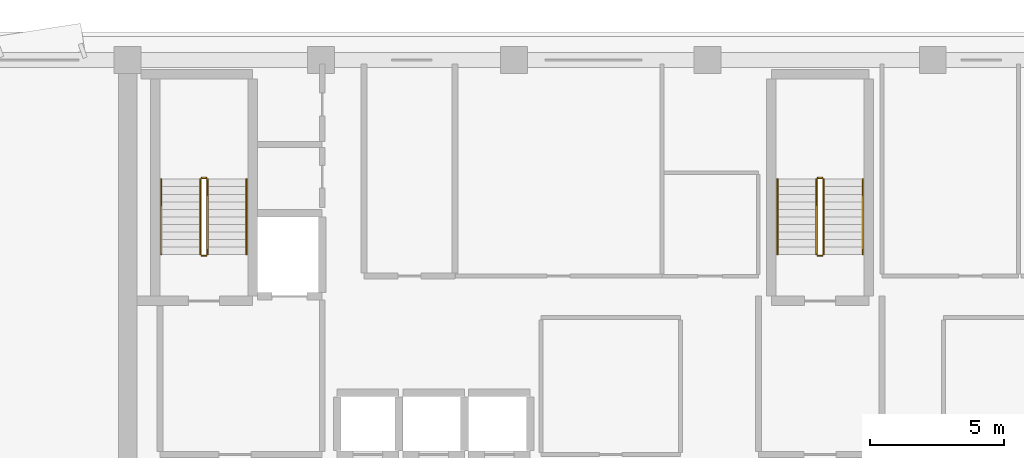
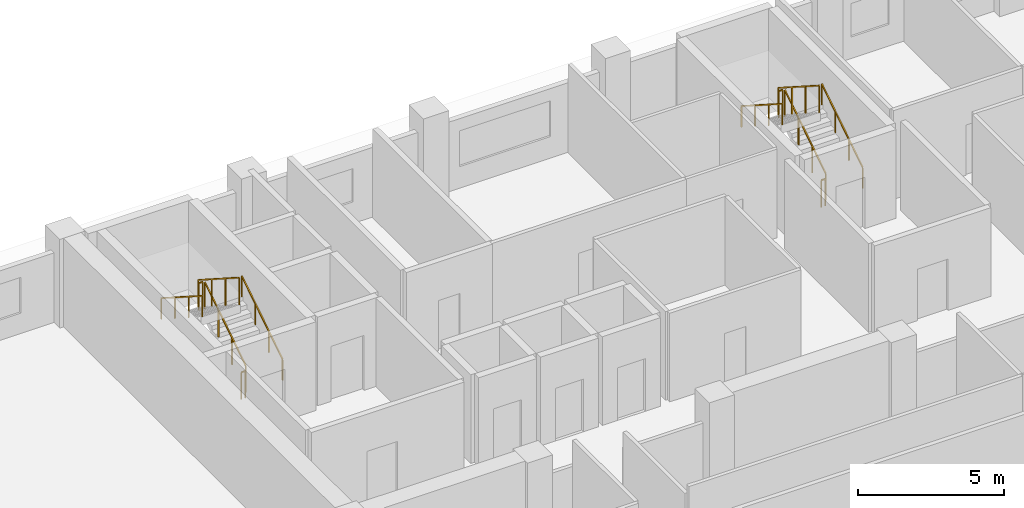
# One storey, part 10 of 11: 12 railings.
"""IFC4 building model written with IfcOpenShell, lengths in metres."""

from ifc_helpers import new_model, si_unit, direction, frame, origin, origin_2d, place, context, subcontext, project, spatial, rectangle, extrude, material, type_object, element, save


model = new_model("IFC4")

# Units and contexts
model_context = context("Model", 3, precision=1e-05, world=origin(), true_north=direction((0.0, 1.0)))
body_context = subcontext(model_context, "Body", "Model", "MODEL_VIEW")
ifc_project = project(units=[si_unit("LENGTHUNIT", "METRE"), si_unit("AREAUNIT", "SQUARE_METRE"), si_unit("VOLUMEUNIT", "CUBIC_METRE"), si_unit("PLANEANGLEUNIT", "RADIAN"), si_unit("MASSUNIT", "GRAM", prefix="KILO")], contexts=[model_context])

# Site, building, storey
site_placement = place(None, origin())
site = spatial("IfcSite", under=ifc_project, at=site_placement, CompositionType="ELEMENT")
building_placement = place(site_placement, origin())
building = spatial("IfcBuilding", under=site, at=building_placement, Name="Kaelvorn Grand Hotel", CompositionType="ELEMENT")
storey_placement = place(building_placement, frame((0.0, 0.0, 272.60009765625)))
storey = spatial("IfcBuildingStorey", under=building, at=storey_placement, Name="L67", CompositionType="ELEMENT", Elevation=272.60009765625)

# Railings
ifc_material = material(Name="Stainless Steel", Category="steel")
railing_type_1 = type_object("IfcRailingType", Name="RL-HANDRAIL-900", PredefinedType="HANDRAIL", material=ifc_material)
railing_1_placement = place(storey_placement, frame((20.6298828125, 41.760009765625, 0.179443359375)))
element("IfcRailing", 1, at=railing_1_placement, inside=storey, type_object=railing_type_1, Name="L67 ST1 stair handrail 1", PredefinedType="HANDRAIL", context=body_context, shape_type="SweptSolid", body=[
    extrude(rectangle(XDim=0.048095703125, YDim=0.048095703125, at=origin_2d()), frame((0.0, 0.0, 0.8759765625), z_axis=(0.0, 0.841809871826, 0.539774156196), x_axis=(-1.0, 0.0, 0.0)), (0.0, 0.0, 1.0), 3.326171875),
    extrude(rectangle(XDim=0.0419921875, YDim=0.0419921875, at=origin_2d()), origin(), (0.0, 0.0, 1.0), 0.851806640625),
    extrude(rectangle(XDim=0.0419921875, YDim=0.0419921875, at=origin_2d()), frame((0.0, 0.933349609375, 0.598388671875)), (0.0, 0.0, 1.0), 0.851806640625),
    extrude(rectangle(XDim=0.0419921875, YDim=0.0419921875, at=origin_2d()), frame((0.0, 1.86669921875, 1.197021484375)), (0.0, 0.0, 1.0), 0.851806640625),
    extrude(rectangle(XDim=0.0419921875, YDim=0.0419921875, at=origin_2d()), frame((0.0, 2.800048828125, 1.79541015625)), (0.0, 0.0, 1.0), 0.851806640625),
])
railing_2_placement = place(storey_placement, frame((17.449951171875, 44.56005859375, 2.154541015625)))
element("IfcRailing", 2, at=railing_2_placement, inside=storey, type_object=railing_type_1, Name="L67 ST1 stair handrail 2", PredefinedType="HANDRAIL", context=body_context, shape_type="SweptSolid", body=[
    extrude(rectangle(XDim=0.048095703125, YDim=0.048095703125, at=origin_2d()), frame((0.0, 0.0, 0.8759765625), z_axis=(0.0, -0.841809871826, 0.539774156196), x_axis=(1.0, 0.0, 0.0)), (0.0, 0.0, 1.0), 3.326171875),
    extrude(rectangle(XDim=0.0419921875, YDim=0.0419921875, at=origin_2d()), origin(), (0.0, 0.0, 1.0), 0.851806640625),
    extrude(rectangle(XDim=0.0419921875, YDim=0.0419921875, at=origin_2d()), frame((0.0, -0.933349609375, 0.598388671875)), (0.0, 0.0, 1.0), 0.851806640625),
    extrude(rectangle(XDim=0.0419921875, YDim=0.0419921875, at=origin_2d()), frame((0.0, -1.86669921875, 1.197021484375)), (0.0, 0.0, 1.0), 0.851806640625),
    extrude(rectangle(XDim=0.0419921875, YDim=0.0419921875, at=origin_2d()), frame((0.0, -2.800048828125, 1.79541015625)), (0.0, 0.0, 1.0), 0.851806640625),
])
railing_3_placement = place(storey_placement, frame((43.590087890625, 41.760009765625, 0.179443359375)))
element("IfcRailing", 3, at=railing_3_placement, inside=storey, type_object=railing_type_1, Name="L67 ST2 stair handrail 1", PredefinedType="HANDRAIL", context=body_context, shape_type="SweptSolid", body=[
    extrude(rectangle(XDim=0.048095703125, YDim=0.048095703125, at=origin_2d()), frame((0.0, 0.0, 0.8759765625), z_axis=(0.0, 0.841809871826, 0.539774156196), x_axis=(-1.0, 0.0, 0.0)), (0.0, 0.0, 1.0), 3.326171875),
    extrude(rectangle(XDim=0.0419921875, YDim=0.0419921875, at=origin_2d()), origin(), (0.0, 0.0, 1.0), 0.851806640625),
    extrude(rectangle(XDim=0.0419921875, YDim=0.0419921875, at=origin_2d()), frame((0.0, 0.933349609375, 0.598388671875)), (0.0, 0.0, 1.0), 0.851806640625),
    extrude(rectangle(XDim=0.0419921875, YDim=0.0419921875, at=origin_2d()), frame((0.0, 1.86669921875, 1.197021484375)), (0.0, 0.0, 1.0), 0.851806640625),
    extrude(rectangle(XDim=0.0419921875, YDim=0.0419921875, at=origin_2d()), frame((0.0, 2.800048828125, 1.79541015625)), (0.0, 0.0, 1.0), 0.851806640625),
])
railing_4_placement = place(storey_placement, frame((40.409912109375, 44.56005859375, 2.154541015625)))
element("IfcRailing", 4, at=railing_4_placement, inside=storey, type_object=railing_type_1, Name="L67 ST2 stair handrail 2", PredefinedType="HANDRAIL", context=body_context, shape_type="SweptSolid", body=[
    extrude(rectangle(XDim=0.048095703125, YDim=0.048095703125, at=origin_2d()), frame((0.0, 0.0, 0.8759765625), z_axis=(0.0, -0.841809871826, 0.539774156196), x_axis=(1.0, 0.0, 0.0)), (0.0, 0.0, 1.0), 3.326171875),
    extrude(rectangle(XDim=0.0419921875, YDim=0.0419921875, at=origin_2d()), origin(), (0.0, 0.0, 1.0), 0.851806640625),
    extrude(rectangle(XDim=0.0419921875, YDim=0.0419921875, at=origin_2d()), frame((0.0, -0.933349609375, 0.598388671875)), (0.0, 0.0, 1.0), 0.851806640625),
    extrude(rectangle(XDim=0.0419921875, YDim=0.0419921875, at=origin_2d()), frame((0.0, -1.86669921875, 1.197021484375)), (0.0, 0.0, 1.0), 0.851806640625),
    extrude(rectangle(XDim=0.0419921875, YDim=0.0419921875, at=origin_2d()), frame((0.0, -2.800048828125, 1.79541015625)), (0.0, 0.0, 1.0), 0.851806640625),
])
railing_type_2 = type_object("IfcRailingType", Name="RL-STAIR-GUARD-1150", PredefinedType="BALUSTRADE", material=ifc_material)
railing_5_placement = place(storey_placement, frame((19.169921875, 41.760009765625, 0.179443359375)))
element("IfcRailing", 5, at=railing_5_placement, inside=storey, type_object=railing_type_2, Name="L67 ST1 stair guard 1", PredefinedType="BALUSTRADE", context=body_context, shape_type="SweptSolid", body=[
    extrude(rectangle(XDim=0.048095703125, YDim=0.048095703125, at=origin_2d()), frame((0.0, 0.0, 1.1259765625), z_axis=(0.0, 0.841809871826, 0.539774156196), x_axis=(-1.0, 0.0, 0.0)), (0.0, 0.0, 1.0), 3.326171875),
    extrude(rectangle(XDim=0.0419921875, YDim=0.0419921875, at=origin_2d()), origin(), (0.0, 0.0, 1.0), 1.101806640625),
    extrude(rectangle(XDim=0.0419921875, YDim=0.0419921875, at=origin_2d()), frame((0.0, 0.933349609375, 0.598388671875)), (0.0, 0.0, 1.0), 1.101806640625),
    extrude(rectangle(XDim=0.0419921875, YDim=0.0419921875, at=origin_2d()), frame((0.0, 1.86669921875, 1.197021484375)), (0.0, 0.0, 1.0), 1.101806640625),
    extrude(rectangle(XDim=0.0419921875, YDim=0.0419921875, at=origin_2d()), frame((0.0, 2.800048828125, 1.79541015625)), (0.0, 0.0, 1.0), 1.101806640625),
])
railing_6_placement = place(storey_placement, frame((19.1201171875, 44.610107421875, 1.974853515625)))
element("IfcRailing", 6, at=railing_6_placement, inside=storey, type_object=railing_type_2, Name="L67 ST1 stair guard 2", PredefinedType="BALUSTRADE", context=body_context, shape_type="SweptSolid", body=[
    extrude(rectangle(XDim=0.048095703125, YDim=0.048095703125, at=origin_2d()), frame((0.0, 0.0, 1.1259765625), z_axis=(-1.0, 0.0, 0.0), x_axis=(0.0, -1.0, 0.0)), (0.0, 0.0, 1.0), 0.16015625),
    extrude(rectangle(XDim=0.0419921875, YDim=0.0419921875, at=origin_2d()), origin(), (0.0, 0.0, 1.0), 1.101806640625),
    extrude(rectangle(XDim=0.0419921875, YDim=0.0419921875, at=origin_2d()), frame((-0.16015625, 0.0, 0.0)), (0.0, 0.0, 1.0), 1.101806640625),
])
railing_7_placement = place(storey_placement, frame((18.909912109375, 44.56005859375, 2.154541015625)))
element("IfcRailing", 7, at=railing_7_placement, inside=storey, type_object=railing_type_2, Name="L67 ST1 stair guard 3", PredefinedType="BALUSTRADE", context=body_context, shape_type="SweptSolid", body=[
    extrude(rectangle(XDim=0.048095703125, YDim=0.048095703125, at=origin_2d()), frame((0.0, 0.0, 1.1259765625), z_axis=(0.0, -0.841809871826, 0.539774156196), x_axis=(1.0, 0.0, 0.0)), (0.0, 0.0, 1.0), 3.326171875),
    extrude(rectangle(XDim=0.0419921875, YDim=0.0419921875, at=origin_2d()), origin(), (0.0, 0.0, 1.0), 1.101806640625),
    extrude(rectangle(XDim=0.0419921875, YDim=0.0419921875, at=origin_2d()), frame((0.0, -0.933349609375, 0.598388671875)), (0.0, 0.0, 1.0), 1.101806640625),
    extrude(rectangle(XDim=0.0419921875, YDim=0.0419921875, at=origin_2d()), frame((0.0, -1.86669921875, 1.197021484375)), (0.0, 0.0, 1.0), 1.101806640625),
    extrude(rectangle(XDim=0.0419921875, YDim=0.0419921875, at=origin_2d()), frame((0.0, -2.800048828125, 1.79541015625)), (0.0, 0.0, 1.0), 1.101806640625),
])
railing_8_placement = place(storey_placement, frame((19.1201171875, 41.7099609375, 0.0)))
element("IfcRailing", 8, at=railing_8_placement, inside=storey, type_object=railing_type_2, Name="L67 ST1 stair guard 4", PredefinedType="BALUSTRADE", context=body_context, shape_type="SweptSolid", body=[
    extrude(rectangle(XDim=0.048095703125, YDim=0.048095703125, at=origin_2d()), frame((0.0, 0.0, 1.1259765625), z_axis=(-1.0, 0.0, 0.0), x_axis=(0.0, -1.0, 0.0)), (0.0, 0.0, 1.0), 0.16015625),
    extrude(rectangle(XDim=0.0419921875, YDim=0.0419921875, at=origin_2d()), origin(), (0.0, 0.0, 1.0), 1.101806640625),
    extrude(rectangle(XDim=0.0419921875, YDim=0.0419921875, at=origin_2d()), frame((-0.16015625, 0.0, 0.0)), (0.0, 0.0, 1.0), 1.101806640625),
])
railing_9_placement = place(storey_placement, frame((42.1298828125, 41.760009765625, 0.179443359375)))
element("IfcRailing", 9, at=railing_9_placement, inside=storey, type_object=railing_type_2, Name="L67 ST2 stair guard 1", PredefinedType="BALUSTRADE", context=body_context, shape_type="SweptSolid", body=[
    extrude(rectangle(XDim=0.048095703125, YDim=0.048095703125, at=origin_2d()), frame((0.0, 0.0, 1.1259765625), z_axis=(0.0, 0.841809871826, 0.539774156196), x_axis=(-1.0, 0.0, 0.0)), (0.0, 0.0, 1.0), 3.326171875),
    extrude(rectangle(XDim=0.0419921875, YDim=0.0419921875, at=origin_2d()), origin(), (0.0, 0.0, 1.0), 1.101806640625),
    extrude(rectangle(XDim=0.0419921875, YDim=0.0419921875, at=origin_2d()), frame((0.0, 0.933349609375, 0.598388671875)), (0.0, 0.0, 1.0), 1.101806640625),
    extrude(rectangle(XDim=0.0419921875, YDim=0.0419921875, at=origin_2d()), frame((0.0, 1.86669921875, 1.197021484375)), (0.0, 0.0, 1.0), 1.101806640625),
    extrude(rectangle(XDim=0.0419921875, YDim=0.0419921875, at=origin_2d()), frame((0.0, 2.800048828125, 1.79541015625)), (0.0, 0.0, 1.0), 1.101806640625),
])
railing_10_placement = place(storey_placement, frame((42.080078125, 44.610107421875, 1.974853515625)))
element("IfcRailing", 10, at=railing_10_placement, inside=storey, type_object=railing_type_2, Name="L67 ST2 stair guard 2", PredefinedType="BALUSTRADE", context=body_context, shape_type="SweptSolid", body=[
    extrude(rectangle(XDim=0.048095703125, YDim=0.048095703125, at=origin_2d()), frame((0.0, 0.0, 1.1259765625), z_axis=(-1.0, 0.0, 0.0), x_axis=(0.0, -1.0, 0.0)), (0.0, 0.0, 1.0), 0.16015625),
    extrude(rectangle(XDim=0.0419921875, YDim=0.0419921875, at=origin_2d()), origin(), (0.0, 0.0, 1.0), 1.101806640625),
    extrude(rectangle(XDim=0.0419921875, YDim=0.0419921875, at=origin_2d()), frame((-0.16015625, 0.0, 0.0)), (0.0, 0.0, 1.0), 1.101806640625),
])
railing_11_placement = place(storey_placement, frame((41.8701171875, 44.56005859375, 2.154541015625)))
element("IfcRailing", 11, at=railing_11_placement, inside=storey, type_object=railing_type_2, Name="L67 ST2 stair guard 3", PredefinedType="BALUSTRADE", context=body_context, shape_type="SweptSolid", body=[
    extrude(rectangle(XDim=0.048095703125, YDim=0.048095703125, at=origin_2d()), frame((0.0, 0.0, 1.1259765625), z_axis=(0.0, -0.841809871826, 0.539774156196), x_axis=(1.0, 0.0, 0.0)), (0.0, 0.0, 1.0), 3.326171875),
    extrude(rectangle(XDim=0.0419921875, YDim=0.0419921875, at=origin_2d()), origin(), (0.0, 0.0, 1.0), 1.101806640625),
    extrude(rectangle(XDim=0.0419921875, YDim=0.0419921875, at=origin_2d()), frame((0.0, -0.933349609375, 0.598388671875)), (0.0, 0.0, 1.0), 1.101806640625),
    extrude(rectangle(XDim=0.0419921875, YDim=0.0419921875, at=origin_2d()), frame((0.0, -1.86669921875, 1.197021484375)), (0.0, 0.0, 1.0), 1.101806640625),
    extrude(rectangle(XDim=0.0419921875, YDim=0.0419921875, at=origin_2d()), frame((0.0, -2.800048828125, 1.79541015625)), (0.0, 0.0, 1.0), 1.101806640625),
])
railing_12_placement = place(storey_placement, frame((42.080078125, 41.7099609375, 0.0)))
element("IfcRailing", 12, at=railing_12_placement, inside=storey, type_object=railing_type_2, Name="L67 ST2 stair guard 4", PredefinedType="BALUSTRADE", context=body_context, shape_type="SweptSolid", body=[
    extrude(rectangle(XDim=0.048095703125, YDim=0.048095703125, at=origin_2d()), frame((0.0, 0.0, 1.1259765625), z_axis=(-1.0, 0.0, 0.0), x_axis=(0.0, -1.0, 0.0)), (0.0, 0.0, 1.0), 0.16015625),
    extrude(rectangle(XDim=0.0419921875, YDim=0.0419921875, at=origin_2d()), origin(), (0.0, 0.0, 1.0), 1.101806640625),
    extrude(rectangle(XDim=0.0419921875, YDim=0.0419921875, at=origin_2d()), frame((-0.16015625, 0.0, 0.0)), (0.0, 0.0, 1.0), 1.101806640625),
])

save(model, "model.ifc")
